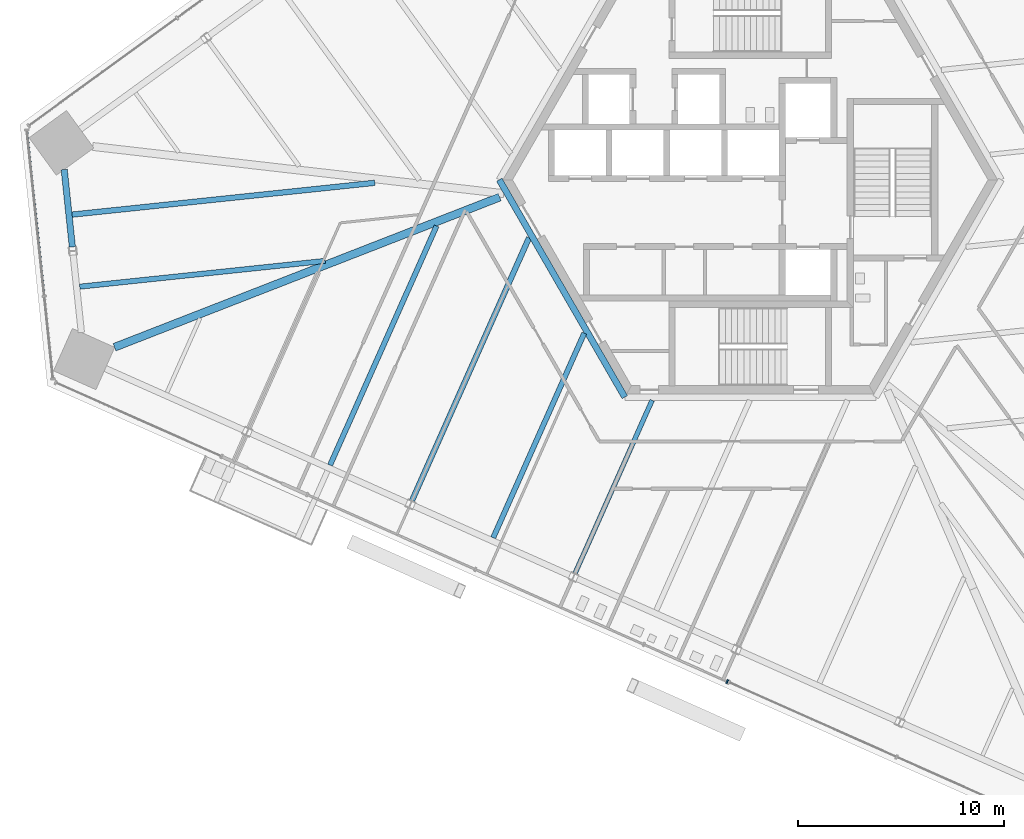
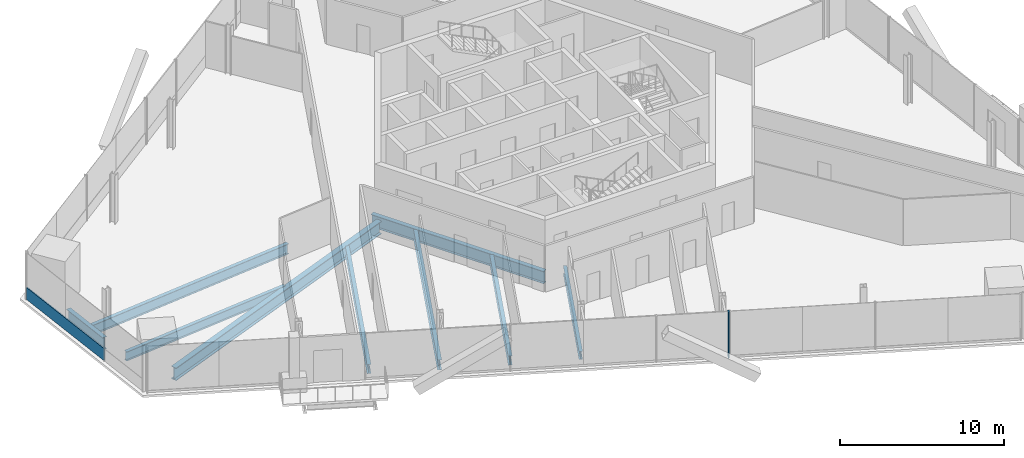
# One storey, part 4 of 19: 9 beams, 2 members, 2 elements without a shape of their own.
"""IFC4 building model written with IfcOpenShell, lengths in metres."""

from ifc_helpers import new_model, si_unit, direction, frame, origin, origin_2d, place, context, subcontext, project, spatial, rectangle, i_section, extrude, source, transform, mapped, material, material_profile, profile_set, type_object, element, aggregate, save


model = new_model("IFC4")

# Units and contexts
model_context = context("Model", 3, precision=1e-05, world=origin(), true_north=direction((0.0, 1.0)))
body_context = subcontext(model_context, "Body", "Model", "MODEL_VIEW")
ifc_project = project(units=[si_unit("LENGTHUNIT", "METRE"), si_unit("AREAUNIT", "SQUARE_METRE"), si_unit("VOLUMEUNIT", "CUBIC_METRE"), si_unit("PLANEANGLEUNIT", "RADIAN"), si_unit("MASSUNIT", "GRAM", prefix="KILO")], contexts=[model_context])

# Site, building, storey
site_placement = place(None, origin())
site = spatial("IfcSite", under=ifc_project, at=site_placement, CompositionType="ELEMENT")
building_placement = place(site_placement, origin())
building = spatial("IfcBuilding", under=site, at=building_placement, Name="Triune Harvest Tower", CompositionType="ELEMENT")
storey_placement = place(building_placement, frame((0.0, 0.0, 69.300048828125)))
storey = spatial("IfcBuildingStorey", under=building, at=storey_placement, Name="L16", CompositionType="ELEMENT", Elevation=69.300048828125)

# Beams
ifc_material_1 = material(Name="Steel ASTM A992 Gr 50", Category="steel")
ifc_material_profile_1 = material_profile(ifc_material_1, i_section(OverallWidth=0.3046875, OverallDepth=0.914306640625, WebThickness=0.0166015625, FlangeThickness=0.02587890625, at=origin_2d()), Name="W36x160")
ifc_profile_set_1 = profile_set([ifc_material_profile_1], Name="Steel ASTM A992 Gr 50")
beam_type_1 = type_object("IfcBeamType", Name="CG-1 Core ring girder W36x160", PredefinedType="BEAM", material=ifc_profile_set_1)
shared_shape_1 = source(origin(), body_context, "Body", "SweptSolid", [
    extrude(i_section(OverallWidth=0.3046875, OverallDepth=0.914306640625, WebThickness=0.0166015625, FlangeThickness=0.02587890625, at=origin_2d()), origin(), (0.0, 0.0, 1.0), 12.176025390625),
])
beam_1_placement = place(storey_placement, frame((-12.176025390625, 0.0, -0.6171875), z_axis=(0.5000099932, -0.866019634131, 0.0), x_axis=(0.866019634131, 0.5000099932, 0.0)))
element("IfcBeam", 1, at=beam_1_placement, inside=storey, type_object=beam_type_1, Name="beam/L16/CG4", PredefinedType="BEAM", context=body_context, shape_type="MappedRepresentation", body=[
    mapped(shared_shape_1, transform((0.0, 0.0, 0.0), scale=1.0)),
])
ifc_material_2 = material(Name="Steel ASTM A992 Gr 50", Category="steel")
ifc_material_profile_2 = material_profile(ifc_material_2, i_section(OverallWidth=0.3046875, OverallDepth=0.914306640625, WebThickness=0.0166015625, FlangeThickness=0.02587890625, at=origin_2d()), Name="W36x160")
ifc_profile_set_2 = profile_set([ifc_material_profile_2], Name="Steel ASTM A992 Gr 50")
beam_type_2 = type_object("IfcBeamType", Name="SB-1 Spandrel beam W36x160", PredefinedType="SPANDREL", material=ifc_profile_set_2)
shared_shape_2 = source(origin(), body_context, "Body", "SweptSolid", [
    extrude(i_section(OverallWidth=0.3046875, OverallDepth=0.914306640625, WebThickness=0.0166015625, FlangeThickness=0.02587890625, at=origin_2d()), origin(), (0.0, 0.0, 1.0), 3.775146484375),
])
beam_2_placement = place(storey_placement, frame((-33.28564453125, 0.497802734375, -0.6171875), z_axis=(0.104509725916, -0.994523864565, 0.0), x_axis=(0.994523864565, 0.104509725916, 0.0)))
element("IfcBeam", 2, at=beam_2_placement, inside=storey, type_object=beam_type_2, Name="beam/L16/SB15", PredefinedType="SPANDREL", context=body_context, shape_type="MappedRepresentation", body=[
    mapped(shared_shape_2, transform((0.0, 0.0, 0.0), scale=1.0)),
])
ifc_material_3 = material(Name="Steel ASTM A992 Gr 50", Category="steel")
ifc_material_profile_3 = material_profile(ifc_material_3, i_section(OverallWidth=0.383544921875, OverallDepth=0.9423828125, WebThickness=0.022216796875, FlangeThickness=0.039794921875, at=origin_2d()), Name="W36x232")
ifc_profile_set_3 = profile_set([ifc_material_profile_3], Name="Steel ASTM A992 Gr 50")
beam_type_3 = type_object("IfcBeamType", Name="HG-1 Hip girder W36x232", PredefinedType="BEAM", material=ifc_profile_set_3)
shared_shape_3 = source(origin(), body_context, "Body", "SweptSolid", [
    extrude(i_section(OverallWidth=0.383544921875, OverallDepth=0.9423828125, WebThickness=0.022216796875, FlangeThickness=0.039794921875, at=origin_2d()), origin(), (0.0, 0.0, 1.0), 20.054443359375),
])
beam_3_placement = place(storey_placement, frame((-30.84423828125, -8.12451171875, -0.63134765625), z_axis=(0.931737115777, 0.363133511374, 0.0), x_axis=(-0.363133511374, 0.931737115777, 0.0)))
element("IfcBeam", 3, at=beam_3_placement, inside=storey, type_object=beam_type_3, Name="beam/L16/HG6", PredefinedType="BEAM", context=body_context, shape_type="MappedRepresentation", body=[
    mapped(shared_shape_3, transform((0.0, 0.0, 0.0), scale=1.0)),
])
ifc_material_4 = material(Name="Steel ASTM A992 Gr 50", Category="steel")
ifc_material_profile_4 = material_profile(ifc_material_4, i_section(OverallWidth=0.253662109375, OverallDepth=0.683349609375, WebThickness=0.012451171875, FlangeThickness=0.01904296875, at=origin_2d()), Name="W27x94")
ifc_profile_set_4 = profile_set([ifc_material_profile_4], Name="Steel ASTM A992 Gr 50")
beam_type_4 = type_object("IfcBeamType", Name="JT-4 Floor joist W27x94", PredefinedType="JOIST", material=ifc_profile_set_4)
shared_shape_4 = source(origin(), body_context, "Body", "SweptSolid", [
    extrude(i_section(OverallWidth=0.253662109375, OverallDepth=0.683349609375, WebThickness=0.012451171875, FlangeThickness=0.01904296875, at=origin_2d()), origin(), (0.0, 0.0, 1.0), 10.864501953125),
])
beam_4_placement = place(storey_placement, frame((-12.473876953125, -17.3681640625, -0.501708984375), z_axis=(0.406757614722, 0.913536120176, 0.0), x_axis=(-0.913536120176, 0.406757614722, 0.0)))
element("IfcBeam", 4, at=beam_4_placement, inside=storey, type_object=beam_type_4, Name="beam/L16/JT31", PredefinedType="JOIST", context=body_context, shape_type="MappedRepresentation", body=[
    mapped(shared_shape_4, transform((0.0, 0.0, 0.0), scale=1.0)),
])
shared_shape_5 = source(origin(), body_context, "Body", "SweptSolid", [
    extrude(i_section(OverallWidth=0.253662109375, OverallDepth=0.683349609375, WebThickness=0.012451171875, FlangeThickness=0.01904296875, at=origin_2d()), origin(), (0.0, 0.0, 1.0), 12.701904296875),
])
beam_5_placement = place(storey_placement, frame((-20.38720703125, -13.844970703125, -0.501708984375), z_axis=(0.406748285801, 0.913540273879, 0.0), x_axis=(-0.913540273879, 0.406748285801, 0.0)))
element("IfcBeam", 5, at=beam_5_placement, inside=storey, type_object=beam_type_4, Name="beam/L16/JT29", PredefinedType="JOIST", context=body_context, shape_type="MappedRepresentation", body=[
    mapped(shared_shape_5, transform((0.0, 0.0, 0.0), scale=1.0)),
])
ifc_material_5 = material(Name="Steel ASTM A992 Gr 50", Category="steel")
ifc_material_profile_5 = material_profile(ifc_material_5, i_section(OverallWidth=0.2666015625, OverallDepth=0.7568359375, WebThickness=0.013916015625, FlangeThickness=0.019287109375, at=origin_2d()), Name="W30x108")
ifc_profile_set_5 = profile_set([ifc_material_profile_5], Name="Steel ASTM A992 Gr 50")
beam_type_5 = type_object("IfcBeamType", Name="JT-5 Floor joist W30x108", PredefinedType="JOIST", material=ifc_profile_set_5)
shared_shape_6 = source(origin(), body_context, "Body", "SweptSolid", [
    extrude(i_section(OverallWidth=0.2666015625, OverallDepth=0.7568359375, WebThickness=0.013916015625, FlangeThickness=0.019287109375, at=origin_2d()), origin(), (0.0, 0.0, 1.0), 14.7666015625),
])
beam_6_placement = place(storey_placement, frame((-32.90234375, -1.690673828125, -0.53857421875), z_axis=(0.994522471236, 0.10452298411, 0.0), x_axis=(-0.10452298411, 0.994522471236, 0.0)))
element("IfcBeam", 6, at=beam_6_placement, inside=storey, type_object=beam_type_5, Name="beam/L16/JT25", PredefinedType="JOIST", context=body_context, shape_type="MappedRepresentation", body=[
    mapped(shared_shape_6, transform((0.0, 0.0, 0.0), scale=1.0)),
])
shared_shape_7 = source(origin(), body_context, "Body", "SweptSolid", [
    extrude(i_section(OverallWidth=0.253662109375, OverallDepth=0.683349609375, WebThickness=0.012451171875, FlangeThickness=0.01904296875, at=origin_2d()), origin(), (0.0, 0.0, 1.0), 11.9775390625),
])
beam_7_placement = place(storey_placement, frame((-32.534912109375, -5.18701171875, -0.501708984375), z_axis=(0.994522193593, 0.104525625807, 0.0), x_axis=(-0.104525625807, 0.994522193593, 0.0)))
element("IfcBeam", 7, at=beam_7_placement, inside=storey, type_object=beam_type_4, Name="beam/L16/JT26", PredefinedType="JOIST", context=body_context, shape_type="MappedRepresentation", body=[
    mapped(shared_shape_7, transform((0.0, 0.0, 0.0), scale=1.0)),
])
shared_shape_8 = source(origin(), body_context, "Body", "SweptSolid", [
    extrude(i_section(OverallWidth=0.2666015625, OverallDepth=0.7568359375, WebThickness=0.013916015625, FlangeThickness=0.019287109375, at=origin_2d()), origin(), (0.0, 0.0, 1.0), 13.966796875),
])
beam_8_placement = place(storey_placement, frame((-16.412353515625, -15.56591796875, -0.53857421875), z_axis=(0.406743331023, 0.913542479948, 0.0), x_axis=(-0.913542479948, 0.406743331023, 0.0)))
element("IfcBeam", 8, at=beam_8_placement, inside=storey, type_object=beam_type_5, Name="beam/L16/JT30", PredefinedType="JOIST", context=body_context, shape_type="MappedRepresentation", body=[
    mapped(shared_shape_8, transform((0.0, 0.0, 0.0), scale=1.0)),
])
ifc_material_6 = material(Name="Steel ASTM A992 Gr 50", Category="steel")
ifc_material_profile_6 = material_profile(ifc_material_6, i_section(OverallWidth=0.22900390625, OverallDepth=0.612060546875, WebThickness=0.011962890625, FlangeThickness=0.01953125, at=origin_2d()), Name="W24x84")
ifc_profile_set_6 = profile_set([ifc_material_profile_6], Name="Steel ASTM A992 Gr 50")
beam_type_6 = type_object("IfcBeamType", Name="JT-3 Floor joist W24x84", PredefinedType="JOIST", material=ifc_profile_set_6)
shared_shape_9 = source(origin(), body_context, "Body", "SweptSolid", [
    extrude(i_section(OverallWidth=0.22900390625, OverallDepth=0.612060546875, WebThickness=0.011962890625, FlangeThickness=0.01953125, at=origin_2d()), origin(), (0.0, 0.0, 1.0), 9.1865234375),
])
beam_9_placement = place(storey_placement, frame((-8.4990234375, -19.08935546875, -0.466064453125), z_axis=(0.406720317643, 0.913552726019, 0.0), x_axis=(-0.913552726019, 0.406720317643, 0.0)))
element("IfcBeam", 9, at=beam_9_placement, inside=storey, type_object=beam_type_6, Name="beam/L16/JT32", PredefinedType="JOIST", context=body_context, shape_type="MappedRepresentation", body=[
    mapped(shared_shape_9, transform((0.0, 0.0, 0.0), scale=1.0)),
])

# Curtain wall, member
ifc_material_7 = material(Name="Aluminium bronze anodised", Category="aluminium")
curtain_wall_type_1 = type_object("IfcCurtainWallType", Name="CW-1 Tower stick curtain wall", PredefinedType="NOTDEFINED", material=ifc_material_7)
curtain_wall_1_placement = place(storey_placement, origin())
curtain_wall_1 = element("IfcCurtainWall", 10, at=curtain_wall_1_placement, inside=storey, type_object=curtain_wall_type_1, Name="CW-1 B2-F4 L16 run 1")
ifc_material_8 = material(Name="Aluminium bronze anodised", Category="aluminium")
ifc_material_profile_7 = material_profile(ifc_material_8, rectangle(XDim=0.090087890625, YDim=0.89990234375, at=origin_2d()), Name="TR-1 transom 90 x 900")
ifc_profile_set_7 = profile_set([ifc_material_profile_7], Name="Aluminium bronze anodised")
member_type_1 = type_object("IfcMemberType", Name="TR-1 transom 90 x 900", PredefinedType="USERDEFINED", material=ifc_profile_set_7)
shared_shape_10 = source(origin(), body_context, "Body", "SweptSolid", [
    extrude(rectangle(XDim=0.090087890625, YDim=0.89990234375, at=origin_2d()), origin(), (0.0, 0.0, 1.0), 8.0341796875),
])
member_1_placement = place(storey_placement, frame((-35.09765625, 2.37939453125, 0.449951171875), z_axis=(0.104532929154, -0.994521425975, 0.0), x_axis=(0.994521425975, 0.104532929154, 0.0)))
member_1 = element("IfcMember", 11, at=member_1_placement, type_object=member_type_1, Name="CW-1 transom B2-F4 1.1", ObjectType="TRANSOM", PredefinedType="USERDEFINED", context=body_context, shape_type="MappedRepresentation", body=[
    mapped(shared_shape_10, transform((0.0, 0.0, 0.0), scale=1.0)),
])
aggregate(curtain_wall_1, [member_1])

ifc_material_9 = material(Name="Aluminium bronze anodised", Category="aluminium")
curtain_wall_type_2 = type_object("IfcCurtainWallType", Name="CW-10 Balcony window wall with insulated spandrel infill", PredefinedType="NOTDEFINED", material=ifc_material_9)
curtain_wall_2_placement = place(storey_placement, origin())
curtain_wall_2 = element("IfcCurtainWall", 12, at=curtain_wall_2_placement, inside=storey, type_object=curtain_wall_type_2, Name="CW-10 B2-F5 L16 run 2")
ifc_material_10 = material(Name="Aluminium bronze anodised", Category="aluminium")
ifc_material_profile_8 = material_profile(ifc_material_10, rectangle(XDim=0.199951171875, YDim=0.074951171875, at=origin_2d()), Name="MU-6 mullion 75 x 200")
ifc_profile_set_8 = profile_set([ifc_material_profile_8], Name="Aluminium bronze anodised")
member_type_2 = type_object("IfcMemberType", Name="MU-6 mullion 75 x 200", PredefinedType="MULLION", material=ifc_profile_set_8)
shared_shape_11 = source(origin(), body_context, "Body", "SweptSolid", [
    extrude(rectangle(XDim=0.199951171875, YDim=0.074951171875, at=origin_2d()), origin(), (0.0, 0.0, 1.0), 3.43994140625),
])
member_2_placement = place(storey_placement, frame((-1.116455078125, -24.348876953125, 0.0), z_axis=(0.0, 0.0, 1.0), x_axis=(0.406738957975, 0.91354442698, 0.0)))
member_2 = element("IfcMember", 13, at=member_2_placement, type_object=member_type_2, Name="CW-10 mullion B2-F5 2.6", PredefinedType="MULLION", context=body_context, shape_type="MappedRepresentation", body=[
    mapped(shared_shape_11, transform((0.0, 0.0, 0.0), scale=1.0)),
])
aggregate(curtain_wall_2, [member_2])

save(model, "model.ifc")
